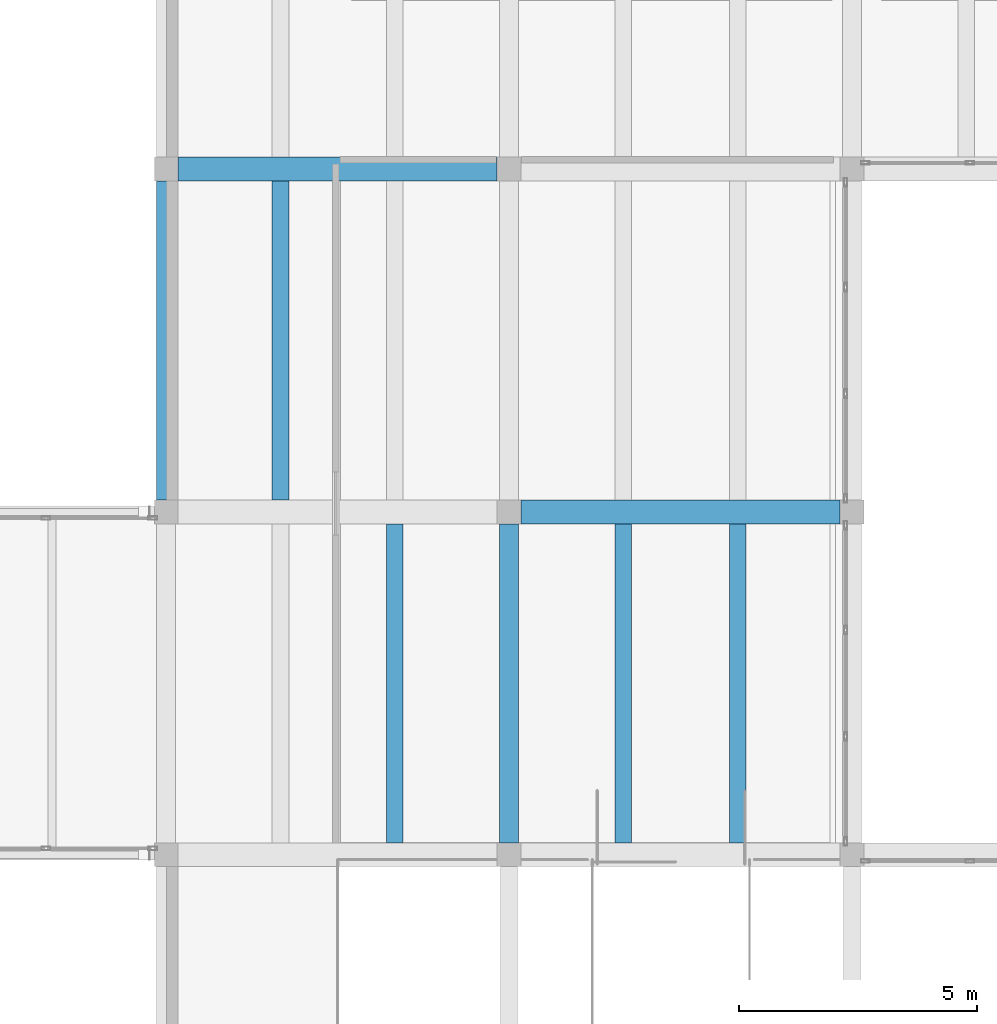
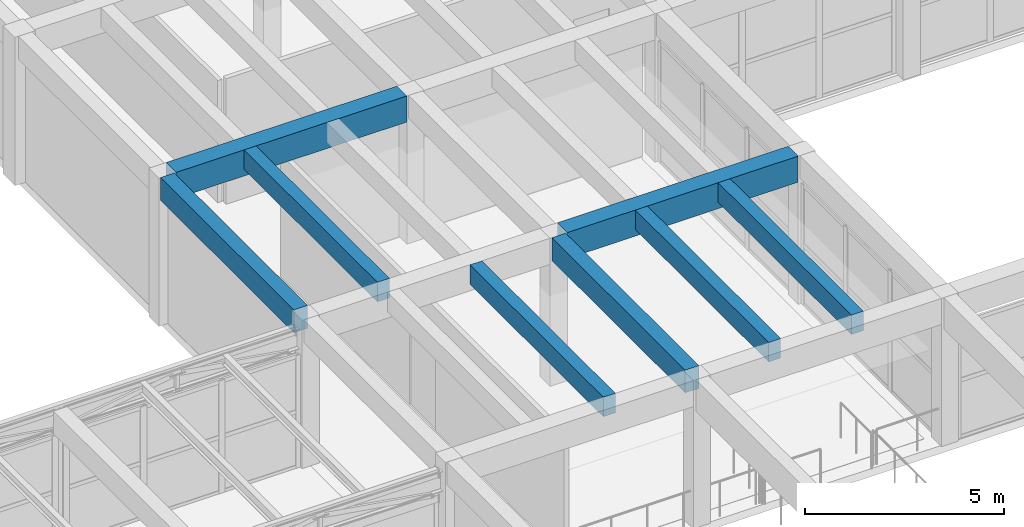
# One storey, part 27 of 153: 8 beams.
"""IFC4 building model written with IfcOpenShell, lengths in metres."""

from ifc_helpers import new_model, si_unit, direction, frame, origin, origin_2d, place, context, subcontext, project, spatial, rectangle, extrude, material, material_profile, profile_set, type_object, element, save


model = new_model("IFC4")

# Units and contexts
model_context = context("Model", 3, precision=1e-05, world=origin(), true_north=direction((0.0, 1.0)))
body_context = subcontext(model_context, "Body", "Model", "MODEL_VIEW")
ifc_project = project(units=[si_unit("LENGTHUNIT", "METRE"), si_unit("AREAUNIT", "SQUARE_METRE"), si_unit("VOLUMEUNIT", "CUBIC_METRE"), si_unit("PLANEANGLEUNIT", "RADIAN"), si_unit("MASSUNIT", "GRAM", prefix="KILO")], contexts=[model_context])

# Site, building, storey
site_placement = place(None, origin())
site = spatial("IfcSite", under=ifc_project, at=site_placement, CompositionType="ELEMENT")
building_placement = place(site_placement, origin())
building = spatial("IfcBuilding", under=site, at=building_placement, Name="Bramvelor Terrace Health Centre", CompositionType="ELEMENT")
storey_placement = place(building_placement, frame((0.0, 0.0, 4.800048828125)))
storey = spatial("IfcBuildingStorey", under=building, at=storey_placement, Name="L02", CompositionType="ELEMENT", Elevation=4.800048828125)

# Beams
ifc_material_1 = material(Name="Concrete C40/50", Category="concrete")
ifc_material_profile_1 = material_profile(ifc_material_1, rectangle(XDim=0.39990234375, YDim=0.699951171875, at=origin_2d()), Name="RC 400x700")
ifc_profile_set_1 = profile_set([ifc_material_profile_1], Name="Concrete C40/50")
beam_type_1 = type_object("IfcBeamType", Name="BM-RC-G700", PredefinedType="BEAM", material=ifc_profile_set_1)
beam_1_placement = place(storey_placement, frame((43.199951171875, 57.85009765625, 4.199951171875), z_axis=(0.0, 1.0, 0.0), x_axis=(-1.0, 0.0, 0.0)))
element("IfcBeam", 1, at=beam_1_placement, inside=storey, type_object=beam_type_1, Name="L02 Floor Girder", PredefinedType="BEAM", context=body_context, shape_type="SweptSolid", body=[
    extrude(rectangle(XDim=0.39990234375, YDim=0.699951171875, at=origin_2d()), origin(), (0.0, 0.0, 1.0), 6.699951171875),
])
beam_2_placement = place(storey_placement, frame((50.39990234375, 50.64990234375, 4.199951171875), z_axis=(0.0, 1.0, 0.0), x_axis=(-1.0, 0.0, 0.0)))
element("IfcBeam", 2, at=beam_2_placement, inside=storey, type_object=beam_type_1, Name="L02 Floor Girder", PredefinedType="BEAM", context=body_context, shape_type="SweptSolid", body=[
    extrude(rectangle(XDim=0.39990234375, YDim=0.699951171875, at=origin_2d()), origin(), (0.0, 0.0, 1.0), 6.7001953125),
])
ifc_material_2 = material(Name="Concrete C40/50", Category="concrete")
ifc_material_profile_2 = material_profile(ifc_material_2, rectangle(XDim=0.5, YDim=0.800048828125, at=origin_2d()), Name="RC 500x800")
ifc_profile_set_2 = profile_set([ifc_material_profile_2], Name="Concrete C40/50")
beam_type_2 = type_object("IfcBeamType", Name="BM-RC-G800", PredefinedType="BEAM", material=ifc_profile_set_2)
beam_3_placement = place(storey_placement, frame((43.449951171875, 64.800048828125, 4.14990234375), z_axis=(1.0, 0.0, 0.0), x_axis=(0.0, 1.0, 0.0)))
element("IfcBeam", 3, at=beam_3_placement, inside=storey, type_object=beam_type_2, Name="L02 Floor Girder", PredefinedType="BEAM", context=body_context, shape_type="SweptSolid", body=[
    extrude(rectangle(XDim=0.5, YDim=0.800048828125, at=origin_2d()), origin(), (0.0, 0.0, 1.0), 6.699951171875),
])
beam_4_placement = place(storey_placement, frame((50.64990234375, 57.60009765625, 4.14990234375), z_axis=(1.0, 0.0, 0.0), x_axis=(0.0, 1.0, 0.0)))
element("IfcBeam", 4, at=beam_4_placement, inside=storey, type_object=beam_type_2, Name="L02 Floor Girder", PredefinedType="BEAM", context=body_context, shape_type="SweptSolid", body=[
    extrude(rectangle(XDim=0.5, YDim=0.800048828125, at=origin_2d()), origin(), (0.0, 0.0, 1.0), 6.7001953125),
])
ifc_material_3 = material(Name="Concrete C40/50", Category="concrete")
ifc_material_profile_3 = material_profile(ifc_material_3, rectangle(XDim=0.35009765625, YDim=0.60009765625, at=origin_2d()), Name="RC 350x600")
ifc_profile_set_3 = profile_set([ifc_material_profile_3], Name="Concrete C40/50")
beam_type_3 = type_object("IfcBeamType", Name="BM-RC-J600", PredefinedType="JOIST", material=ifc_profile_set_3)
beam_5_placement = place(storey_placement, frame((48.0, 50.64990234375, 4.25), z_axis=(0.0, 1.0, 0.0), x_axis=(-1.0, 0.0, 0.0)))
element("IfcBeam", 5, at=beam_5_placement, inside=storey, type_object=beam_type_3, Name="L02 Secondary Floor Joist", PredefinedType="JOIST", context=body_context, shape_type="SweptSolid", body=[
    extrude(rectangle(XDim=0.35009765625, YDim=0.60009765625, at=origin_2d()), origin(), (0.0, 0.0, 1.0), 6.7001953125),
])
beam_6_placement = place(storey_placement, frame((45.60009765625, 57.85009765625, 4.25), z_axis=(0.0, 1.0, 0.0), x_axis=(-1.0, 0.0, 0.0)))
element("IfcBeam", 6, at=beam_6_placement, inside=storey, type_object=beam_type_3, Name="L02 Secondary Floor Joist", PredefinedType="JOIST", context=body_context, shape_type="SweptSolid", body=[
    extrude(rectangle(XDim=0.35009765625, YDim=0.60009765625, at=origin_2d()), origin(), (0.0, 0.0, 1.0), 6.699951171875),
])
for number, where, z_axis, x_axis, name in (
    (7, (52.800048828125, 50.64990234375, 4.25), (0.0, 1.0, 0.0), (-1.0, 0.0, 0.0), "L02 Secondary Floor Joist"),
    (8, (55.199951171875, 50.64990234375, 4.25), (0.0, 1.0, 0.0), (-1.0, 0.0, 0.0), "L02 Secondary Floor Joist"),
):
    element("IfcBeam", number, at=place(storey_placement, frame(where, z_axis=z_axis, x_axis=x_axis)), inside=storey, type_object=beam_type_3, Name=name, PredefinedType="JOIST", context=body_context, shape_type="SweptSolid", body=[
        extrude(rectangle(XDim=0.35009765625, YDim=0.60009765625, at=origin_2d()), origin(), (0.0, 0.0, 1.0), 6.7001953125),
    ])

save(model, "model.ifc")
